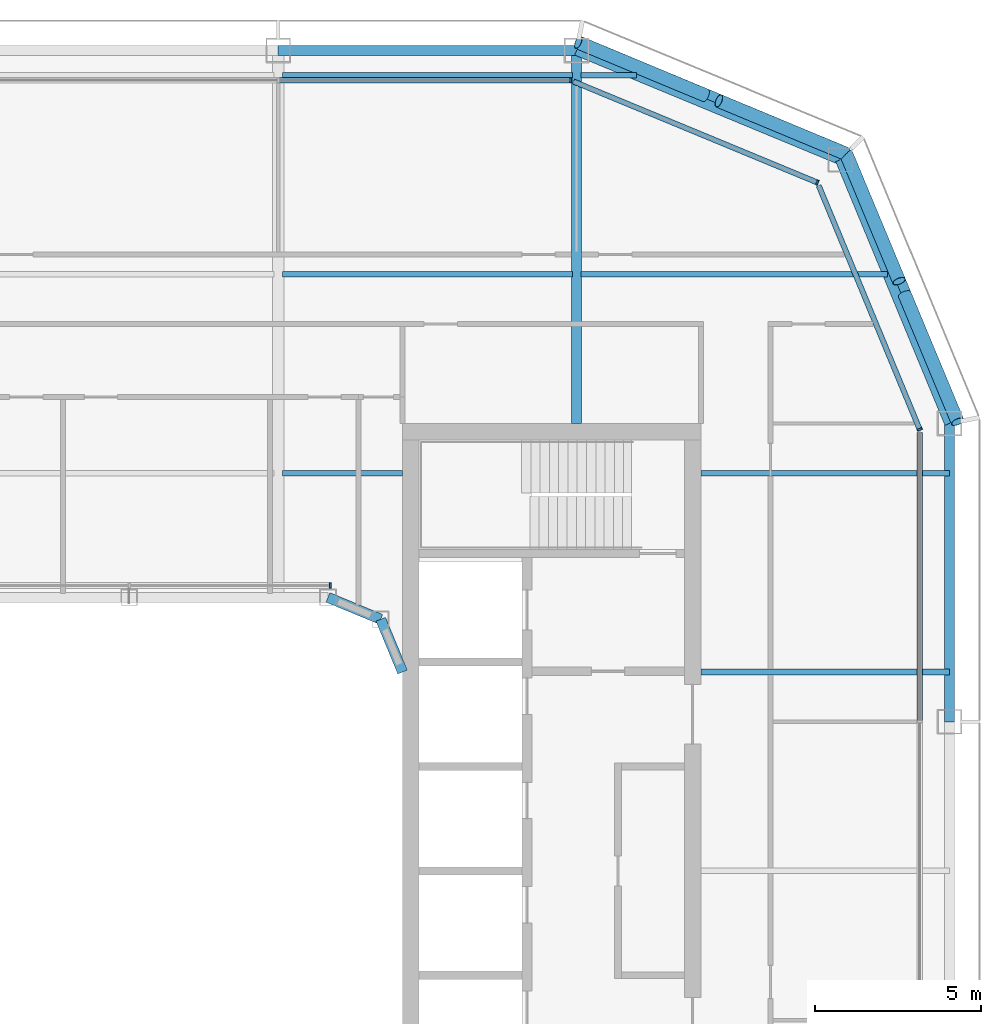
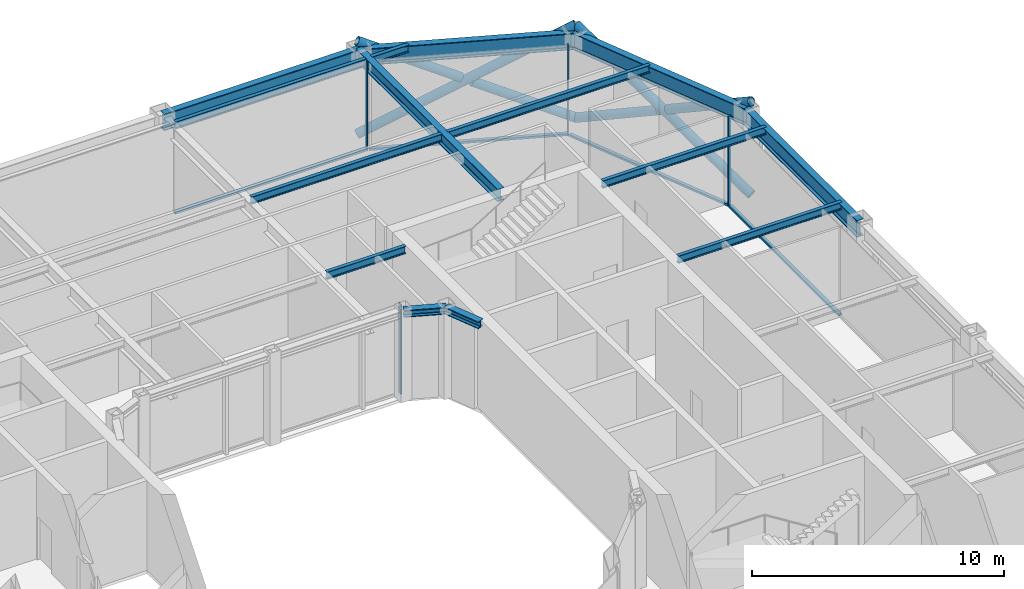
# One storey, part 8 of 20: 14 beams, 14 members, 5 elements without a shape of their own.
"""IFC4 building model written with IfcOpenShell, lengths in metres."""

from ifc_helpers import new_model, si_unit, direction, frame, origin, origin_2d, place, context, subcontext, project, spatial, rectangle, hollow_circle, i_section, extrude, material, layer, layer_set, material_profile, profile_set, type_object, element, aggregate, save


model = new_model("IFC4")

# Units and contexts
model_context = context("Model", 3, precision=1e-05, world=origin(), true_north=direction((0.0, 1.0)))
body_context = subcontext(model_context, "Body", "Model", "MODEL_VIEW")
ifc_project = project(units=[si_unit("LENGTHUNIT", "METRE"), si_unit("AREAUNIT", "SQUARE_METRE"), si_unit("VOLUMEUNIT", "CUBIC_METRE"), si_unit("PLANEANGLEUNIT", "RADIAN"), si_unit("MASSUNIT", "GRAM", prefix="KILO")], contexts=[model_context])

# Site, building, storey
site_placement = place(None, origin())
site = spatial("IfcSite", under=ifc_project, at=site_placement, CompositionType="ELEMENT")
building_placement = place(site_placement, origin())
building = spatial("IfcBuilding", under=site, at=building_placement, Name="Siwar Civic Tower", CompositionType="ELEMENT")
storey_placement = place(building_placement, frame((0.0, 0.0, 298.699951171875)))
storey = spatial("IfcBuildingStorey", under=building, at=storey_placement, Name="L64", CompositionType="ELEMENT", Elevation=298.699951171875)

# Curtain wall, member
ifc_material_1 = material(Name="Aluminium clad insulated panel", Category="aluminium")
ifc_layer_1 = layer(ifc_material_1, 0.159912109375)
ifc_layer_set_1 = layer_set([ifc_layer_1], Name="Aluminium clad insulated panel")
curtain_wall_type_1 = type_object("IfcCurtainWallType", Name="ENV-CW-DX", PredefinedType="NOTDEFINED", material=ifc_layer_set_1)
curtain_wall_1_placement = place(storey_placement, origin())
curtain_wall_1 = element("IfcCurtainWall", 1, at=curtain_wall_1_placement, inside=storey, type_object=curtain_wall_type_1, Name="Curtain wall D NE1", PredefinedType="NOTDEFINED")
ifc_material_2 = material(Name="Aluminium 6063-T6", Category="aluminium")
ifc_material_profile_1 = material_profile(ifc_material_2, rectangle(XDim=0.159912109375, YDim=0.06005859375, at=origin_2d()), Name="AL 160x60")
ifc_profile_set_1 = profile_set([ifc_material_profile_1], Name="Aluminium 6063-T6")
member_type_1 = type_object("IfcMemberType", Name="ENV-MULLION-D", PredefinedType="MULLION", material=ifc_profile_set_1)
member_1_placement = place(storey_placement, frame((23.85009765625, 13.321044921875, 0.0), z_axis=(0.0, 0.0, 1.0), x_axis=(-0.923879532511, -0.382683432365, 0.0)))
member_1 = element("IfcMember", 2, at=member_1_placement, type_object=member_type_1, Name="Mullion D NE1 1", PredefinedType="MULLION", context=body_context, shape_type="SweptSolid", body=[
    extrude(rectangle(XDim=0.159912109375, YDim=0.06005859375, at=origin_2d()), origin(), (0.0, 0.0, 1.0), 4.35009765625),
])

curtain_wall_2_placement = place(storey_placement, origin())
curtain_wall_2 = element("IfcCurtainWall", 3, at=curtain_wall_2_placement, inside=storey, type_object=curtain_wall_type_1, Name="Curtain wall D NE2", PredefinedType="NOTDEFINED")
member_2_placement = place(storey_placement, frame((20.76611328125, 20.76611328125, 0.0), z_axis=(0.0, 0.0, 1.0), x_axis=(-0.382683432365, -0.923879532511, 0.0)))
member_2 = element("IfcMember", 4, at=member_2_placement, type_object=member_type_1, Name="Mullion D NE2 1", PredefinedType="MULLION", context=body_context, shape_type="SweptSolid", body=[
    extrude(rectangle(XDim=0.159912109375, YDim=0.06005859375, at=origin_2d()), origin(), (0.0, 0.0, 1.0), 4.35009765625),
])

ifc_material_3 = material(Name="Aluminium and glass", Category="aluminium")
ifc_layer_2 = layer(ifc_material_3, 0.159912109375)
ifc_layer_set_2 = layer_set([ifc_layer_2], Name="Aluminium and glass")
curtain_wall_type_2 = type_object("IfcCurtainWallType", Name="ENV-CW-D", PredefinedType="NOTDEFINED", material=ifc_layer_set_2)
curtain_wall_3_placement = place(storey_placement, origin())
curtain_wall_3 = element("IfcCurtainWall", 5, at=curtain_wall_3_placement, inside=storey, type_object=curtain_wall_type_2, Name="Curtain wall D N", PredefinedType="NOTDEFINED")
member_3_placement = place(storey_placement, frame((13.321044921875, 23.85009765625, 0.0), z_axis=(0.0, 0.0, 1.0), x_axis=(0.0, -1.0, 0.0)))
member_3 = element("IfcMember", 6, at=member_3_placement, type_object=member_type_1, Name="Mullion D N 1", PredefinedType="MULLION", context=body_context, shape_type="SweptSolid", body=[
    extrude(rectangle(XDim=0.159912109375, YDim=0.06005859375, at=origin_2d()), origin(), (0.0, 0.0, 1.0), 4.35009765625),
])

ifc_material_4 = material(Name="Aluminium and glass", Category="aluminium")
ifc_layer_3 = layer(ifc_material_4, 0.179931640625)
ifc_layer_set_3 = layer_set([ifc_layer_3], Name="Aluminium and glass")
curtain_wall_type_3 = type_object("IfcCurtainWallType", Name="ENV-CW-W", PredefinedType="NOTDEFINED", material=ifc_layer_set_3)
curtain_wall_4_placement = place(storey_placement, origin())
curtain_wall_4 = element("IfcCurtainWall", 7, at=curtain_wall_4_placement, inside=storey, type_object=curtain_wall_type_3, Name="Curtain wall W WN", PredefinedType="NOTDEFINED")
ifc_material_5 = material(Name="Aluminium 6063-T6", Category="aluminium")
ifc_material_profile_2 = material_profile(ifc_material_5, rectangle(XDim=0.179931640625, YDim=0.06005859375, at=origin_2d()), Name="AL 180x60")
ifc_profile_set_2 = profile_set([ifc_material_profile_2], Name="Aluminium 6063-T6")
member_type_2 = type_object("IfcMemberType", Name="ENV-MULLION-W", PredefinedType="MULLION", material=ifc_profile_set_2)
member_4_placement = place(storey_placement, frame((6.071533203125, 8.610107421875, 0.0), z_axis=(0.0, 0.0, 1.0), x_axis=(0.0, -1.0, 0.0)))
member_4 = element("IfcMember", 8, at=member_4_placement, type_object=member_type_2, Name="Mullion W WN 1", PredefinedType="MULLION", context=body_context, shape_type="SweptSolid", body=[
    extrude(rectangle(XDim=0.179931640625, YDim=0.06005859375, at=origin_2d()), origin(), (0.0, 0.0, 1.0), 4.35009765625),
])
aggregate(curtain_wall_4, [member_4])

curtain_wall_5_placement = place(storey_placement, origin())
curtain_wall_5 = element("IfcCurtainWall", 9, at=curtain_wall_5_placement, inside=storey, type_object=curtain_wall_type_2, Name="Curtain wall D E", PredefinedType="NOTDEFINED")
ifc_material_6 = material(Name="Aluminium 6063-T6", Category="aluminium")
ifc_material_profile_3 = material_profile(ifc_material_6, rectangle(XDim=0.159912109375, YDim=0.10009765625, at=origin_2d()), Name="AL 160x100")
ifc_profile_set_3 = profile_set([ifc_material_profile_3], Name="Aluminium 6063-T6")
member_type_3 = type_object("IfcMemberType", Name="ENV-TRANSOM-D", PredefinedType="USERDEFINED", material=ifc_profile_set_3)
member_5_placement = place(storey_placement, frame((23.85009765625, 4.530029296875, 0.050048828125), z_axis=(0.0, 1.0, 0.0), x_axis=(-1.0, 0.0, 0.0)))
member_5 = element("IfcMember", 10, at=member_5_placement, type_object=member_type_3, Name="Transom D E 3", ObjectType="TRANSOM", PredefinedType="USERDEFINED", context=body_context, shape_type="SweptSolid", body=[
    extrude(rectangle(XDim=0.159912109375, YDim=0.10009765625, at=origin_2d()), origin(), (0.0, 0.0, 1.0), 8.693115234375),
])
aggregate(curtain_wall_5, [member_5])

# Member
member_6_placement = place(storey_placement, frame((23.838623046875, 13.3486328125, 0.050048828125), z_axis=(-0.382699790424, 0.923872756612, 0.0), x_axis=(-0.923872756612, -0.382699790424, 0.0)))
member_6 = element("IfcMember", 11, at=member_6_placement, type_object=member_type_3, Name="Transom D NE1 1", ObjectType="TRANSOM", PredefinedType="USERDEFINED", context=body_context, shape_type="SweptSolid", body=[
    extrude(rectangle(XDim=0.159912109375, YDim=0.10009765625, at=origin_2d()), origin(), (0.0, 0.0, 1.0), 7.930908203125),
])

aggregate(curtain_wall_1, [member_1, member_6])

member_7_placement = place(storey_placement, frame((20.738525390625, 20.777587890625, 0.050048828125), z_axis=(-0.923883640343, 0.382673515031, 0.0), x_axis=(-0.382673515031, -0.923883640343, 0.0)))
member_7 = element("IfcMember", 12, at=member_7_placement, type_object=member_type_3, Name="Transom D NE2 1", ObjectType="TRANSOM", PredefinedType="USERDEFINED", context=body_context, shape_type="SweptSolid", body=[
    extrude(rectangle(XDim=0.159912109375, YDim=0.10009765625, at=origin_2d()), origin(), (0.0, 0.0, 1.0), 7.930908203125),
])

aggregate(curtain_wall_2, [member_2, member_7])

member_8_placement = place(storey_placement, frame((13.291015625, 23.85009765625, 0.050048828125), z_axis=(-1.0, 0.0, 0.0), x_axis=(0.0, -1.0, 0.0)))
member_8 = element("IfcMember", 13, at=member_8_placement, type_object=member_type_3, Name="Transom D N 1", ObjectType="TRANSOM", PredefinedType="USERDEFINED", context=body_context, shape_type="SweptSolid", body=[
    extrude(rectangle(XDim=0.159912109375, YDim=0.10009765625, at=origin_2d()), origin(), (0.0, 0.0, 1.0), 8.760986328125),
])

aggregate(curtain_wall_3, [member_3, member_8])

# Members
ifc_material_7 = material(Name="Steel S355", Category="steel")
ifc_material_profile_4 = material_profile(ifc_material_7, hollow_circle(Radius=0.203125, WallThickness=0.01611328125, at=origin_2d()), Name="CHS406.4x16")
ifc_profile_set_4 = profile_set([ifc_material_profile_4], Name="Steel S355")
member_type_4 = type_object("IfcMemberType", Name="STR-BR-CHS406.4x16", PredefinedType="BRACE", material=ifc_profile_set_4)
member_9_placement = place(storey_placement, frame((13.548828125, 24.9951171875, 0.0), z_axis=(0.821142553604, -0.341671493852, 0.457149315816), x_axis=(0.384163874976, 0.923264922524, 0.0)))
element("IfcMember", 14, at=member_9_placement, inside=storey, type_object=member_type_4, Name="L64/brc/DNE1-3-0-1", PredefinedType="BRACE", context=body_context, shape_type="SweptSolid", body=[
    extrude(hollow_circle(Radius=0.203125, WallThickness=0.01611328125, at=origin_2d()), origin(), (0.0, 0.0, 1.0), 9.843505859375),
])
member_10_placement = place(storey_placement, frame((21.6318359375, 21.6318359375, 0.0), z_axis=(-0.821147096886, 0.341644380467, 0.457161418507), x_axis=(-0.38413607648, -0.923276488787, 0.0)))
element("IfcMember", 15, at=member_10_placement, inside=storey, type_object=member_type_4, Name="L64/brc/DNE1-3-0-2", PredefinedType="BRACE", context=body_context, shape_type="SweptSolid", body=[
    extrude(hollow_circle(Radius=0.203125, WallThickness=0.01611328125, at=origin_2d()), origin(), (0.0, 0.0, 1.0), 4.677001953125),
])
member_11_placement = place(storey_placement, frame((17.38916015625, 23.397216796875, 2.362060546875), z_axis=(-0.821149689876, 0.341667178655, 0.457139722456), x_axis=(-0.384156893273, -0.923267827529, 0.0)))
element("IfcMember", 16, at=member_11_placement, inside=storey, type_object=member_type_4, Name="L64/brc/DNE1-3-0-3", PredefinedType="BRACE", context=body_context, shape_type="SweptSolid", body=[
    extrude(hollow_circle(Radius=0.203125, WallThickness=0.01611328125, at=origin_2d()), origin(), (0.0, 0.0, 1.0), 4.6767578125),
])
member_12_placement = place(storey_placement, frame((24.9951171875, 13.548828125, 0.0), z_axis=(-0.341671493852, 0.821142553604, 0.457149315816), x_axis=(-0.923264922524, -0.384163874976, 0.0)))
element("IfcMember", 17, at=member_12_placement, inside=storey, type_object=member_type_4, Name="L64/brc/DNE1-3-0-0", PredefinedType="BRACE", context=body_context, shape_type="SweptSolid", body=[
    extrude(hollow_circle(Radius=0.203125, WallThickness=0.01611328125, at=origin_2d()), origin(), (0.0, 0.0, 1.0), 9.843505859375),
])
member_13_placement = place(storey_placement, frame((21.6318359375, 21.6318359375, 0.0), z_axis=(0.341644380467, -0.821147096886, 0.457161418507), x_axis=(0.923276488787, 0.38413607648, 0.0)))
element("IfcMember", 18, at=member_13_placement, inside=storey, type_object=member_type_4, Name="L64/brc/DNE1-3-0-4", PredefinedType="BRACE", context=body_context, shape_type="SweptSolid", body=[
    extrude(hollow_circle(Radius=0.203125, WallThickness=0.01611328125, at=origin_2d()), origin(), (0.0, 0.0, 1.0), 4.677001953125),
])
member_14_placement = place(storey_placement, frame((23.397216796875, 17.38916015625, 2.362060546875), z_axis=(0.341667178655, -0.821149689876, 0.457139722456), x_axis=(0.923267827529, 0.384156893273, 0.0)))
element("IfcMember", 19, at=member_14_placement, inside=storey, type_object=member_type_4, Name="L64/brc/DNE1-3-0-5", PredefinedType="BRACE", context=body_context, shape_type="SweptSolid", body=[
    extrude(hollow_circle(Radius=0.203125, WallThickness=0.01611328125, at=origin_2d()), origin(), (0.0, 0.0, 1.0), 4.6767578125),
])

# Beams
ifc_material_8 = material(Name="Steel S355", Category="steel")
ifc_material_profile_5 = material_profile(ifc_material_8, i_section(OverallWidth=0.169921875, OverallDepth=0.360107421875, WebThickness=0.008056640625, FlangeThickness=0.0126953125, FilletRadius=0.01806640625, at=origin_2d()), Name="IPE360")
ifc_profile_set_5 = profile_set([ifc_material_profile_5], Name="Steel S355")
beam_type_1 = type_object("IfcBeamType", Name="STR-FB-IPE360", PredefinedType="JOIST", material=ifc_profile_set_5)
beam_1_placement = place(storey_placement, frame((17.25, 6.0, 4.170166015625), z_axis=(1.0, 0.0, 0.0), x_axis=(0.0, 1.0, 0.0)))
element("IfcBeam", 20, at=beam_1_placement, inside=storey, type_object=beam_type_1, Name="L64/bm/F021", PredefinedType="JOIST", context=body_context, shape_type="SweptSolid", body=[
    extrude(i_section(OverallWidth=0.169921875, OverallDepth=0.360107421875, WebThickness=0.008056640625, FlangeThickness=0.0126953125, FilletRadius=0.01806640625, at=origin_2d()), origin(), (0.0, 0.0, 1.0), 7.5),
])
beam_2_placement = place(storey_placement, frame((4.6298828125, 12.0, 4.170166015625), z_axis=(1.0, 0.0, 0.0), x_axis=(0.0, 1.0, 0.0)))
element("IfcBeam", 21, at=beam_2_placement, inside=storey, type_object=beam_type_1, Name="L64/bm/F025", PredefinedType="JOIST", context=body_context, shape_type="SweptSolid", body=[
    extrude(i_section(OverallWidth=0.169921875, OverallDepth=0.360107421875, WebThickness=0.008056640625, FlangeThickness=0.0126953125, FilletRadius=0.01806640625, at=origin_2d()), origin(), (0.0, 0.0, 1.0), 3.6201171875),
])
beam_3_placement = place(storey_placement, frame((17.25, 12.0, 4.170166015625), z_axis=(1.0, 0.0, 0.0), x_axis=(0.0, 1.0, 0.0)))
element("IfcBeam", 22, at=beam_3_placement, inside=storey, type_object=beam_type_1, Name="L64/bm/F026", PredefinedType="JOIST", context=body_context, shape_type="SweptSolid", body=[
    extrude(i_section(OverallWidth=0.169921875, OverallDepth=0.360107421875, WebThickness=0.008056640625, FlangeThickness=0.0126953125, FilletRadius=0.01806640625, at=origin_2d()), origin(), (0.0, 0.0, 1.0), 7.5),
])
beam_4_placement = place(storey_placement, frame((4.6298828125, 18.0, 4.170166015625), z_axis=(1.0, 0.0, 0.0), x_axis=(0.0, 1.0, 0.0)))
element("IfcBeam", 23, at=beam_4_placement, inside=storey, type_object=beam_type_1, Name="L64/bm/F030", PredefinedType="JOIST", context=body_context, shape_type="SweptSolid", body=[
    extrude(i_section(OverallWidth=0.169921875, OverallDepth=0.360107421875, WebThickness=0.008056640625, FlangeThickness=0.0126953125, FilletRadius=0.01806640625, at=origin_2d()), origin(), (0.0, 0.0, 1.0), 8.740234375),
])
beam_5_placement = place(storey_placement, frame((13.6298828125, 18.0, 4.170166015625), z_axis=(1.0, 0.0, 0.0), x_axis=(0.0, 1.0, 0.0)))
element("IfcBeam", 24, at=beam_5_placement, inside=storey, type_object=beam_type_1, Name="L64/bm/F031", PredefinedType="JOIST", context=body_context, shape_type="SweptSolid", body=[
    extrude(i_section(OverallWidth=0.169921875, OverallDepth=0.360107421875, WebThickness=0.008056640625, FlangeThickness=0.0126953125, FilletRadius=0.01806640625, at=origin_2d()), origin(), (0.0, 0.0, 1.0), 9.256103515625),
])
beam_6_placement = place(storey_placement, frame((4.6298828125, 24.0, 4.170166015625), z_axis=(1.0, 0.0, 0.0), x_axis=(0.0, 1.0, 0.0)))
element("IfcBeam", 25, at=beam_6_placement, inside=storey, type_object=beam_type_1, Name="L64/bm/F035", PredefinedType="JOIST", context=body_context, shape_type="SweptSolid", body=[
    extrude(i_section(OverallWidth=0.169921875, OverallDepth=0.360107421875, WebThickness=0.008056640625, FlangeThickness=0.0126953125, FilletRadius=0.01806640625, at=origin_2d()), origin(), (0.0, 0.0, 1.0), 8.740234375),
])
beam_7_placement = place(storey_placement, frame((13.6298828125, 24.0, 4.170166015625), z_axis=(1.0, 0.0, 0.0), x_axis=(0.0, 1.0, 0.0)))
element("IfcBeam", 26, at=beam_7_placement, inside=storey, type_object=beam_type_1, Name="L64/bm/F036", PredefinedType="JOIST", context=body_context, shape_type="SweptSolid", body=[
    extrude(i_section(OverallWidth=0.169921875, OverallDepth=0.360107421875, WebThickness=0.008056640625, FlangeThickness=0.0126953125, FilletRadius=0.01806640625, at=origin_2d()), origin(), (0.0, 0.0, 1.0), 1.6806640625),
])
ifc_material_9 = material(Name="Steel S355", Category="steel")
ifc_material_profile_6 = material_profile(ifc_material_9, i_section(OverallWidth=0.300048828125, OverallDepth=0.60009765625, WebThickness=0.015380859375, FlangeThickness=0.030029296875, FilletRadius=0.027099609375, at=origin_2d()), Name="HEB600")
ifc_profile_set_6 = profile_set([ifc_material_profile_6], Name="Steel S355")
beam_type_2 = type_object("IfcBeamType", Name="STR-PG-HEB600", PredefinedType="BEAM", material=ifc_profile_set_6)
beam_8_placement = place(storey_placement, frame((13.5, 13.5, 4.050048828125), z_axis=(0.0, 1.0, 0.0), x_axis=(-1.0, 0.0, 0.0)))
element("IfcBeam", 27, at=beam_8_placement, inside=storey, type_object=beam_type_2, Name="L64/bm/G08", PredefinedType="BEAM", context=body_context, shape_type="SweptSolid", body=[
    extrude(i_section(OverallWidth=0.300048828125, OverallDepth=0.60009765625, WebThickness=0.015380859375, FlangeThickness=0.030029296875, FilletRadius=0.027099609375, at=origin_2d()), origin(), (0.0, 0.0, 1.0), 11.25),
])
ifc_material_10 = material(Name="Steel S355", Category="steel")
ifc_material_profile_7 = material_profile(ifc_material_10, i_section(OverallWidth=0.31005859375, OverallDepth=0.340087890625, WebThickness=0.02099609375, FlangeThickness=0.0390625, FilletRadius=0.027099609375, at=origin_2d()), Name="HEM300")
ifc_profile_set_7 = profile_set([ifc_material_profile_7], Name="Steel S355")
beam_type_3 = type_object("IfcBeamType", Name="STR-RB-HEM300", PredefinedType="BEAM", material=ifc_profile_set_7)
for number, where, z_axis, x_axis, name in (
    (28, (6.0, 8.25, 4.179931640625), (0.923901072997, -0.382631424892, 0.0), (0.382631424892, 0.923901072997, 0.0), "L64/bm/RN3"),
    (29, (7.591064453125, 7.591064453125, 4.179931640625), (0.382631424892, -0.923901072997, 0.0), (0.923901072997, 0.382631424892, 0.0), "L64/bm/RNEE"),
):
    element("IfcBeam", number, at=place(storey_placement, frame(where, z_axis=z_axis, x_axis=x_axis)), inside=storey, type_object=beam_type_3, Name=name, PredefinedType="BEAM", context=body_context, shape_type="SweptSolid", body=[
        extrude(i_section(OverallWidth=0.31005859375, OverallDepth=0.340087890625, WebThickness=0.02099609375, FlangeThickness=0.0390625, FilletRadius=0.027099609375, at=origin_2d()), origin(), (0.0, 0.0, 1.0), 1.72216796875),
    ])
ifc_material_11 = material(Name="Steel S355", Category="steel")
ifc_material_profile_8 = material_profile(ifc_material_11, i_section(OverallWidth=0.300048828125, OverallDepth=0.800048828125, WebThickness=0.017578125, FlangeThickness=0.032958984375, FilletRadius=0.030029296875, at=origin_2d()), Name="HEB800")
ifc_profile_set_8 = profile_set([ifc_material_profile_8], Name="Steel S355")
beam_type_4 = type_object("IfcBeamType", Name="STR-SB-HEB800", PredefinedType="BEAM", material=ifc_profile_set_8)
beam_9_placement = place(storey_placement, frame((24.75, 4.5, 3.949951171875), z_axis=(0.0, 1.0, 0.0), x_axis=(-1.0, 0.0, 0.0)))
element("IfcBeam", 30, at=beam_9_placement, inside=storey, type_object=beam_type_4, Name="L64/bm/SE-2", PredefinedType="BEAM", context=body_context, shape_type="SweptSolid", body=[
    extrude(i_section(OverallWidth=0.300048828125, OverallDepth=0.800048828125, WebThickness=0.017578125, FlangeThickness=0.032958984375, FilletRadius=0.030029296875, at=origin_2d()), origin(), (0.0, 0.0, 1.0), 9.0),
])
for number, where, z_axis, x_axis, name in (
    (31, (24.75, 13.5, 3.949951171875), (-0.382699877515, 0.923872720536, 0.0), (-0.923872720536, -0.382699877515, 0.0), "L64/bm/SNE1-0"),
    (32, (21.454833984375, 21.454833984375, 3.949951171875), (-0.923872720536, 0.382699877515, 0.0), (-0.382699877515, -0.923872720536, 0.0), "L64/bm/SNE2-0"),
):
    element("IfcBeam", number, at=place(storey_placement, frame(where, z_axis=z_axis, x_axis=x_axis)), inside=storey, type_object=beam_type_4, Name=name, PredefinedType="BEAM", context=body_context, shape_type="SweptSolid", body=[
        extrude(i_section(OverallWidth=0.300048828125, OverallDepth=0.800048828125, WebThickness=0.017578125, FlangeThickness=0.032958984375, FilletRadius=0.030029296875, at=origin_2d()), origin(), (0.0, 0.0, 1.0), 8.6103515625),
    ])
beam_10_placement = place(storey_placement, frame((13.5, 24.75, 3.949951171875), z_axis=(-1.0, 0.0, 0.0), x_axis=(0.0, -1.0, 0.0)))
element("IfcBeam", 33, at=beam_10_placement, inside=storey, type_object=beam_type_4, Name="L64/bm/SN-0", PredefinedType="BEAM", context=body_context, shape_type="SweptSolid", body=[
    extrude(i_section(OverallWidth=0.300048828125, OverallDepth=0.800048828125, WebThickness=0.017578125, FlangeThickness=0.032958984375, FilletRadius=0.030029296875, at=origin_2d()), origin(), (0.0, 0.0, 1.0), 9.0),
])

save(model, "model.ifc")
